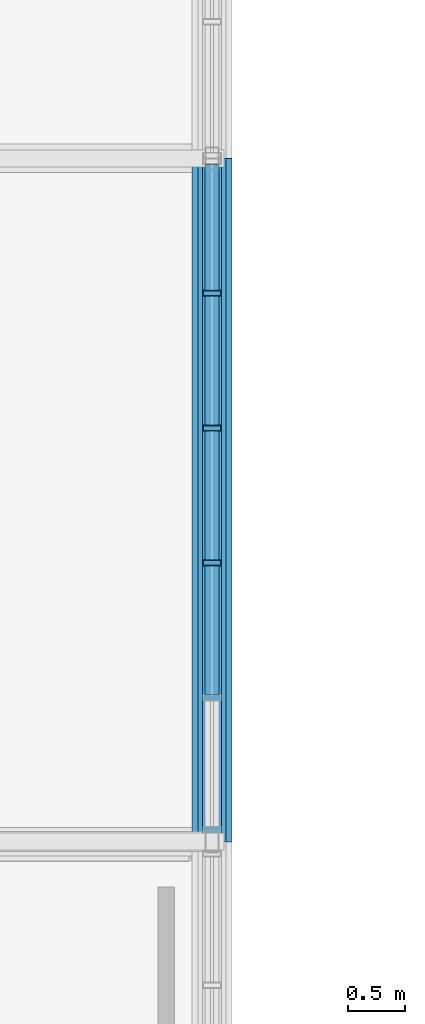
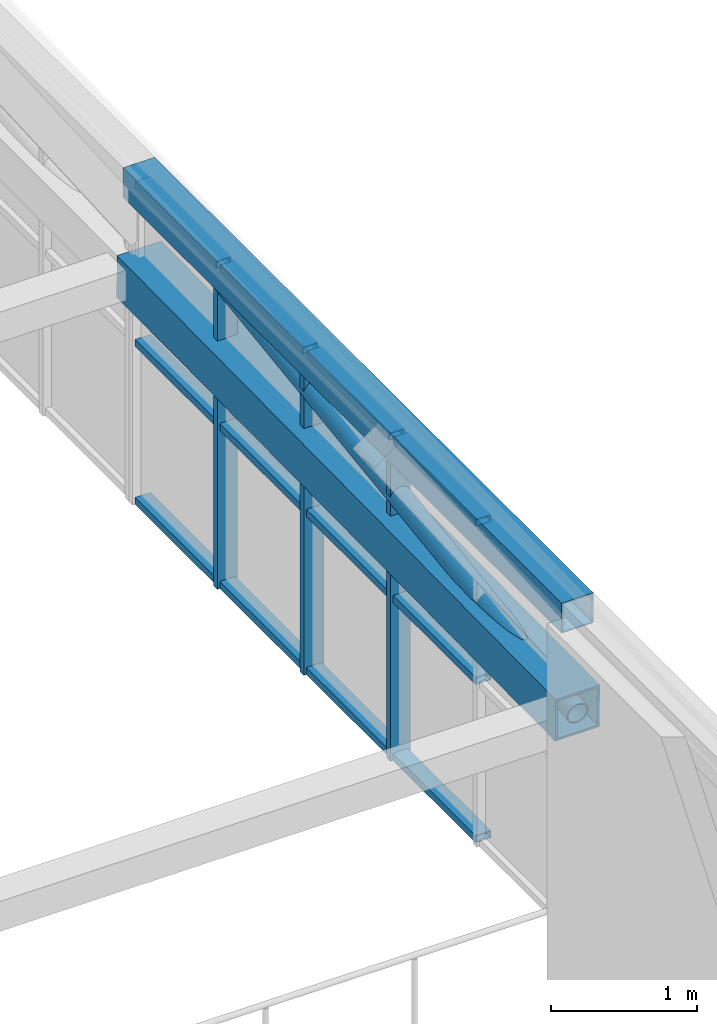
# One storey, part 222 of 324: 18 members, 1 element without a shape of its own.
"""IFC4 building model written with IfcOpenShell, lengths in metres."""

from ifc_helpers import new_model, si_unit, direction, frame, origin, origin_2d, place, context, subcontext, project, spatial, hollow_rectangle, hollow_circle, extrude, material, layer, layer_set, material_profile, profile_set, type_object, element, aggregate, save


model = new_model("IFC4")

# Units and contexts
model_context = context("Model", 3, precision=1e-05, world=origin(), true_north=direction((0.0, 1.0)))
body_context = subcontext(model_context, "Body", "Model", "MODEL_VIEW")
ifc_project = project(units=[si_unit("LENGTHUNIT", "METRE"), si_unit("AREAUNIT", "SQUARE_METRE"), si_unit("VOLUMEUNIT", "CUBIC_METRE"), si_unit("PLANEANGLEUNIT", "RADIAN"), si_unit("MASSUNIT", "GRAM", prefix="KILO")], contexts=[model_context])

# Site, building, storey
site_placement = place(None, origin())
site = spatial("IfcSite", under=ifc_project, at=site_placement, CompositionType="ELEMENT")
building_placement = place(site_placement, origin())
building = spatial("IfcBuilding", under=site, at=building_placement, Name="Solvenia Promenade Tram Depot", CompositionType="ELEMENT")
storey_placement = place(building_placement, frame((0.0, 0.0, 4.5)))
storey = spatial("IfcBuildingStorey", under=building, at=storey_placement, Name="L01", CompositionType="ELEMENT", Elevation=4.5)

# Curtain wall, members
ifc_material_1 = material(Name="Anodized aluminium AW-6063 T6", Category="aluminium")
ifc_layer = layer(ifc_material_1, 0.159912109375, Name="Anodized aluminium AW-6063 T6", Category="aluminium")
ifc_layer_set = layer_set([ifc_layer], Name="Anodized aluminium AW-6063 T6")
curtain_wall_type = type_object("IfcCurtainWallType", Name="CW-Channel-1200", PredefinedType="NOTDEFINED", material=ifc_layer_set)
curtain_wall_placement = place(storey_placement, origin())
curtain_wall = element("IfcCurtainWall", 1, at=curtain_wall_placement, inside=storey, type_object=curtain_wall_type, Name="Curtain Wall CW-V1E-03", PredefinedType="NOTDEFINED")
ifc_material_profile_1 = material_profile(ifc_material_1, hollow_rectangle(XDim=0.159912109375, YDim=0.052001953125, WallThickness=0.00390625, at=origin_2d()), Name="ALU-M1", Category="aluminium")
ifc_profile_set_1 = profile_set([ifc_material_profile_1], Name="Anodized aluminium AW-6063 T6")
member_type_1 = type_object("IfcMemberType", Name="CWM-Mullion-1", PredefinedType="MULLION", material=ifc_profile_set_1)
member_1_placement = place(storey_placement, frame((150.0, 80.447998046875, 0.699951171875), z_axis=(0.0, 0.0, 1.0), x_axis=(-1.0, 0.0, 0.0)))
member_1 = element("IfcMember", 2, at=member_1_placement, type_object=member_type_1, Name="CW-1 mullion 3", PredefinedType="MULLION", context=body_context, shape_type="SweptSolid", body=[
    extrude(hollow_rectangle(XDim=0.159912109375, YDim=0.052001953125, WallThickness=0.00390625, at=origin_2d()), origin(), (0.0, 0.0, 1.0), 2.699951171875),
])
member_2_placement = place(storey_placement, frame((150.0, 81.632080078125, 0.699951171875), z_axis=(0.0, 0.0, 1.0), x_axis=(-1.0, 0.0, 0.0)))
member_2 = element("IfcMember", 3, at=member_2_placement, type_object=member_type_1, Name="CW-1 mullion 4", PredefinedType="MULLION", context=body_context, shape_type="SweptSolid", body=[
    extrude(hollow_rectangle(XDim=0.159912109375, YDim=0.052001953125, WallThickness=0.00390625, at=origin_2d()), origin(), (0.0, 0.0, 1.0), 2.699951171875),
])
member_3_placement = place(storey_placement, frame((150.0, 82.81591796875, 0.699951171875), z_axis=(0.0, 0.0, 1.0), x_axis=(-1.0, 0.0, 0.0)))
member_3 = element("IfcMember", 4, at=member_3_placement, type_object=member_type_1, Name="CW-1 mullion 5", PredefinedType="MULLION", context=body_context, shape_type="SweptSolid", body=[
    extrude(hollow_rectangle(XDim=0.159912109375, YDim=0.052001953125, WallThickness=0.00390625, at=origin_2d()), origin(), (0.0, 0.0, 1.0), 2.699951171875),
])
ifc_material_profile_2 = material_profile(ifc_material_1, hollow_rectangle(XDim=0.1201171875, YDim=0.06005859375, WallThickness=0.00390625, at=origin_2d()), Name="ALU-T1", Category="aluminium")
ifc_profile_set_2 = profile_set([ifc_material_profile_2], Name="Anodized aluminium AW-6063 T6")
member_type_2 = type_object("IfcMemberType", Name="CWT-Transom-1", PredefinedType="USERDEFINED", material=ifc_profile_set_2)
member_4_placement = place(storey_placement, frame((150.0, 79.2900390625, 0.72998046875), z_axis=(0.0, 1.0, 0.0), x_axis=(-1.0, 0.0, 0.0)))
member_4 = element("IfcMember", 5, at=member_4_placement, type_object=member_type_2, Name="CW-1 transom 2.1", ObjectType="TRANSOM", PredefinedType="USERDEFINED", context=body_context, shape_type="SweptSolid", body=[
    extrude(hollow_rectangle(XDim=0.1201171875, YDim=0.06005859375, WallThickness=0.00390625, at=origin_2d()), origin(), (0.0, 0.0, 1.0), 1.132080078125),
])
member_5_placement = place(storey_placement, frame((150.0, 79.2900390625, 2.050048828125), z_axis=(0.0, 1.0, 0.0), x_axis=(-1.0, 0.0, 0.0)))
member_5 = element("IfcMember", 6, at=member_5_placement, type_object=member_type_2, Name="CW-1 transom 2.2", ObjectType="TRANSOM", PredefinedType="USERDEFINED", context=body_context, shape_type="SweptSolid", body=[
    extrude(hollow_rectangle(XDim=0.1201171875, YDim=0.06005859375, WallThickness=0.00390625, at=origin_2d()), origin(), (0.0, 0.0, 1.0), 1.132080078125),
])
member_6_placement = place(storey_placement, frame((150.0, 79.2900390625, 3.3701171875), z_axis=(0.0, 1.0, 0.0), x_axis=(-1.0, 0.0, 0.0)))
member_6 = element("IfcMember", 7, at=member_6_placement, type_object=member_type_2, Name="CW-1 transom 2.3", ObjectType="TRANSOM", PredefinedType="USERDEFINED", context=body_context, shape_type="SweptSolid", body=[
    extrude(hollow_rectangle(XDim=0.1201171875, YDim=0.06005859375, WallThickness=0.00390625, at=origin_2d()), origin(), (0.0, 0.0, 1.0), 1.132080078125),
])
member_7_placement = place(storey_placement, frame((150.0, 80.47412109375, 0.72998046875), z_axis=(0.0, 1.0, 0.0), x_axis=(-1.0, 0.0, 0.0)))
member_7 = element("IfcMember", 8, at=member_7_placement, type_object=member_type_2, Name="CW-1 transom 3.1", ObjectType="TRANSOM", PredefinedType="USERDEFINED", context=body_context, shape_type="SweptSolid", body=[
    extrude(hollow_rectangle(XDim=0.1201171875, YDim=0.06005859375, WallThickness=0.00390625, at=origin_2d()), origin(), (0.0, 0.0, 1.0), 1.1318359375),
])
member_8_placement = place(storey_placement, frame((150.0, 80.47412109375, 2.050048828125), z_axis=(0.0, 1.0, 0.0), x_axis=(-1.0, 0.0, 0.0)))
member_8 = element("IfcMember", 9, at=member_8_placement, type_object=member_type_2, Name="CW-1 transom 3.2", ObjectType="TRANSOM", PredefinedType="USERDEFINED", context=body_context, shape_type="SweptSolid", body=[
    extrude(hollow_rectangle(XDim=0.1201171875, YDim=0.06005859375, WallThickness=0.00390625, at=origin_2d()), origin(), (0.0, 0.0, 1.0), 1.1318359375),
])
member_9_placement = place(storey_placement, frame((150.0, 80.47412109375, 3.3701171875), z_axis=(0.0, 1.0, 0.0), x_axis=(-1.0, 0.0, 0.0)))
member_9 = element("IfcMember", 10, at=member_9_placement, type_object=member_type_2, Name="CW-1 transom 3.3", ObjectType="TRANSOM", PredefinedType="USERDEFINED", context=body_context, shape_type="SweptSolid", body=[
    extrude(hollow_rectangle(XDim=0.1201171875, YDim=0.06005859375, WallThickness=0.00390625, at=origin_2d()), origin(), (0.0, 0.0, 1.0), 1.1318359375),
])
member_10_placement = place(storey_placement, frame((150.0, 81.657958984375, 0.72998046875), z_axis=(0.0, 1.0, 0.0), x_axis=(-1.0, 0.0, 0.0)))
member_10 = element("IfcMember", 11, at=member_10_placement, type_object=member_type_2, Name="CW-1 transom 4.1", ObjectType="TRANSOM", PredefinedType="USERDEFINED", context=body_context, shape_type="SweptSolid", body=[
    extrude(hollow_rectangle(XDim=0.1201171875, YDim=0.06005859375, WallThickness=0.00390625, at=origin_2d()), origin(), (0.0, 0.0, 1.0), 1.132080078125),
])
member_11_placement = place(storey_placement, frame((150.0, 81.657958984375, 2.050048828125), z_axis=(0.0, 1.0, 0.0), x_axis=(-1.0, 0.0, 0.0)))
member_11 = element("IfcMember", 12, at=member_11_placement, type_object=member_type_2, Name="CW-1 transom 4.2", ObjectType="TRANSOM", PredefinedType="USERDEFINED", context=body_context, shape_type="SweptSolid", body=[
    extrude(hollow_rectangle(XDim=0.1201171875, YDim=0.06005859375, WallThickness=0.00390625, at=origin_2d()), origin(), (0.0, 0.0, 1.0), 1.132080078125),
])
member_12_placement = place(storey_placement, frame((150.0, 81.657958984375, 3.3701171875), z_axis=(0.0, 1.0, 0.0), x_axis=(-1.0, 0.0, 0.0)))
member_12 = element("IfcMember", 13, at=member_12_placement, type_object=member_type_2, Name="CW-1 transom 4.3", ObjectType="TRANSOM", PredefinedType="USERDEFINED", context=body_context, shape_type="SweptSolid", body=[
    extrude(hollow_rectangle(XDim=0.1201171875, YDim=0.06005859375, WallThickness=0.00390625, at=origin_2d()), origin(), (0.0, 0.0, 1.0), 1.132080078125),
])
member_13_placement = place(storey_placement, frame((150.0, 82.842041015625, 0.72998046875), z_axis=(0.0, 1.0, 0.0), x_axis=(-1.0, 0.0, 0.0)))
member_13 = element("IfcMember", 14, at=member_13_placement, type_object=member_type_2, Name="CW-1 transom 5.1", ObjectType="TRANSOM", PredefinedType="USERDEFINED", context=body_context, shape_type="SweptSolid", body=[
    extrude(hollow_rectangle(XDim=0.1201171875, YDim=0.06005859375, WallThickness=0.00390625, at=origin_2d()), origin(), (0.0, 0.0, 1.0), 1.10595703125),
])
member_14_placement = place(storey_placement, frame((150.0, 82.842041015625, 2.050048828125), z_axis=(0.0, 1.0, 0.0), x_axis=(-1.0, 0.0, 0.0)))
member_14 = element("IfcMember", 15, at=member_14_placement, type_object=member_type_2, Name="CW-1 transom 5.2", ObjectType="TRANSOM", PredefinedType="USERDEFINED", context=body_context, shape_type="SweptSolid", body=[
    extrude(hollow_rectangle(XDim=0.1201171875, YDim=0.06005859375, WallThickness=0.00390625, at=origin_2d()), origin(), (0.0, 0.0, 1.0), 1.10595703125),
])
member_15_placement = place(storey_placement, frame((150.0, 82.842041015625, 3.3701171875), z_axis=(0.0, 1.0, 0.0), x_axis=(-1.0, 0.0, 0.0)))
member_15 = element("IfcMember", 16, at=member_15_placement, type_object=member_type_2, Name="CW-1 transom 5.3", ObjectType="TRANSOM", PredefinedType="USERDEFINED", context=body_context, shape_type="SweptSolid", body=[
    extrude(hollow_rectangle(XDim=0.1201171875, YDim=0.06005859375, WallThickness=0.00390625, at=origin_2d()), origin(), (0.0, 0.0, 1.0), 1.10595703125),
])
aggregate(curtain_wall, [member_1, member_2, member_3, member_4, member_5, member_6, member_7, member_8, member_9, member_10, member_11, member_12, member_13, member_14, member_15])

# Members
ifc_material_2 = material(Name="Structural steel ASTM A500 Gr. C", Category="steel")
ifc_material_profile_3 = material_profile(ifc_material_2, hollow_rectangle(XDim=0.25, YDim=0.25, WallThickness=0.010009765625, at=origin_2d()), Name="HSS250x250x10", Category="steel")
ifc_profile_set_3 = profile_set([ifc_material_profile_3], Name="Structural steel ASTM A500 Gr. C")
member_type_3 = type_object("IfcMemberType", Name="Chord-HSS250x250x10", PredefinedType="CHORD", material=ifc_profile_set_3)
member_16_placement = place(storey_placement, frame((150.0, 78.0, 3.3798828125), z_axis=(0.0, 1.0, 0.0), x_axis=(-1.0, 0.0, 0.0)))
element("IfcMember", 17, at=member_16_placement, inside=storey, type_object=member_type_3, Name="Arched Truss T21 Upper Chord S03", PredefinedType="CHORD", context=body_context, shape_type="SweptSolid", body=[
    extrude(hollow_rectangle(XDim=0.25, YDim=0.25, WallThickness=0.010009765625, at=origin_2d()), origin(), (0.0, 0.0, 1.0), 6.0),
])
ifc_material_profile_4 = material_profile(ifc_material_2, hollow_rectangle(XDim=0.35009765625, YDim=0.35009765625, WallThickness=0.01611328125, at=origin_2d()), Name="HSS350x350x16", Category="steel")
ifc_profile_set_4 = profile_set([ifc_material_profile_4], Name="Structural steel ASTM A500 Gr. C")
member_type_4 = type_object("IfcMemberType", Name="Chord-HSS350x350x16", PredefinedType="CHORD", material=ifc_profile_set_4)
member_17_placement = place(storey_placement, frame((150.0, 78.0, 2.5439453125), z_axis=(0.0, 0.999931818432, 0.011677263667), x_axis=(-1.0, 0.0, 0.0)))
element("IfcMember", 18, at=member_17_placement, inside=storey, type_object=member_type_4, Name="Arched Truss T21 Bottom Chord S03", PredefinedType="CHORD", context=body_context, shape_type="SweptSolid", body=[
    extrude(hollow_rectangle(XDim=0.35009765625, YDim=0.35009765625, WallThickness=0.01611328125, at=origin_2d()), origin(), (0.0, 0.0, 1.0), 6.00048828125),
])
ifc_material_profile_5 = material_profile(ifc_material_2, hollow_circle(Radius=0.084228515625, WallThickness=0.008056640625, at=origin_2d()), Name="CHS168.3x8", Category="steel")
ifc_profile_set_5 = profile_set([ifc_material_profile_5], Name="Structural steel ASTM A500 Gr. C")
member_type_5 = type_object("IfcMemberType", Name="WebDiag-CHS168x8", PredefinedType="BRACE", material=ifc_profile_set_5)
member_18_placement = place(storey_placement, frame((150.0, 78.0, 2.5439453125), z_axis=(0.0, 0.990433608353, 0.13799009908), x_axis=(-1.0, 0.0, 0.0)))
element("IfcMember", 19, at=member_18_placement, inside=storey, type_object=member_type_5, Name="Arched Truss T21 Web Diagonal S03", PredefinedType="BRACE", context=body_context, shape_type="SweptSolid", body=[
    extrude(hollow_circle(Radius=0.084228515625, WallThickness=0.008056640625, at=origin_2d()), origin(), (0.0, 0.0, 1.0), 6.057861328125),
])

save(model, "model.ifc")
